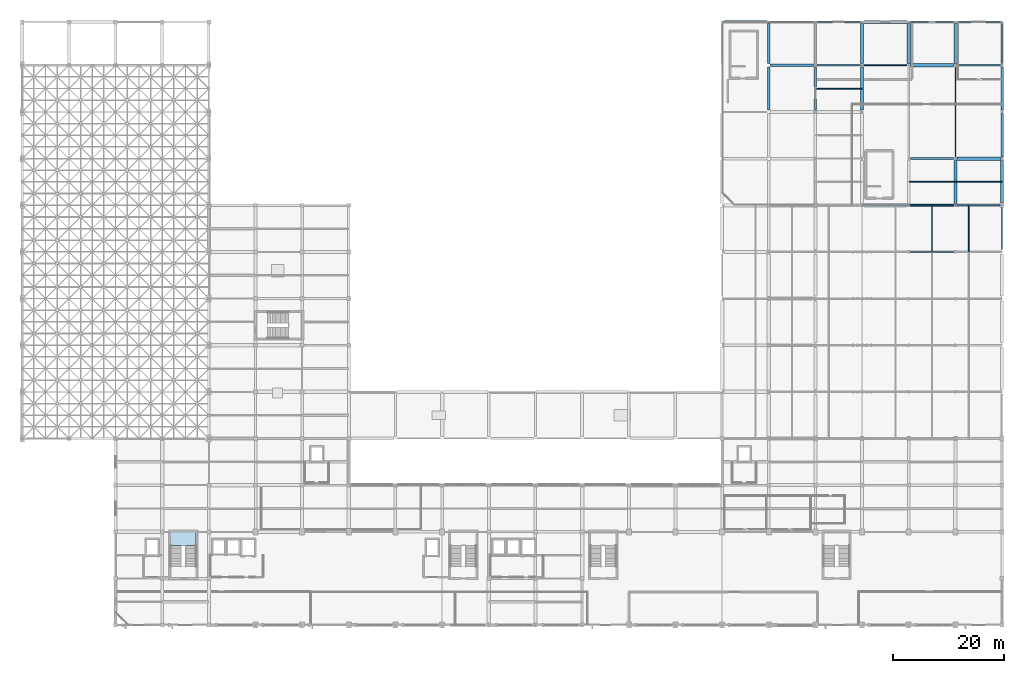
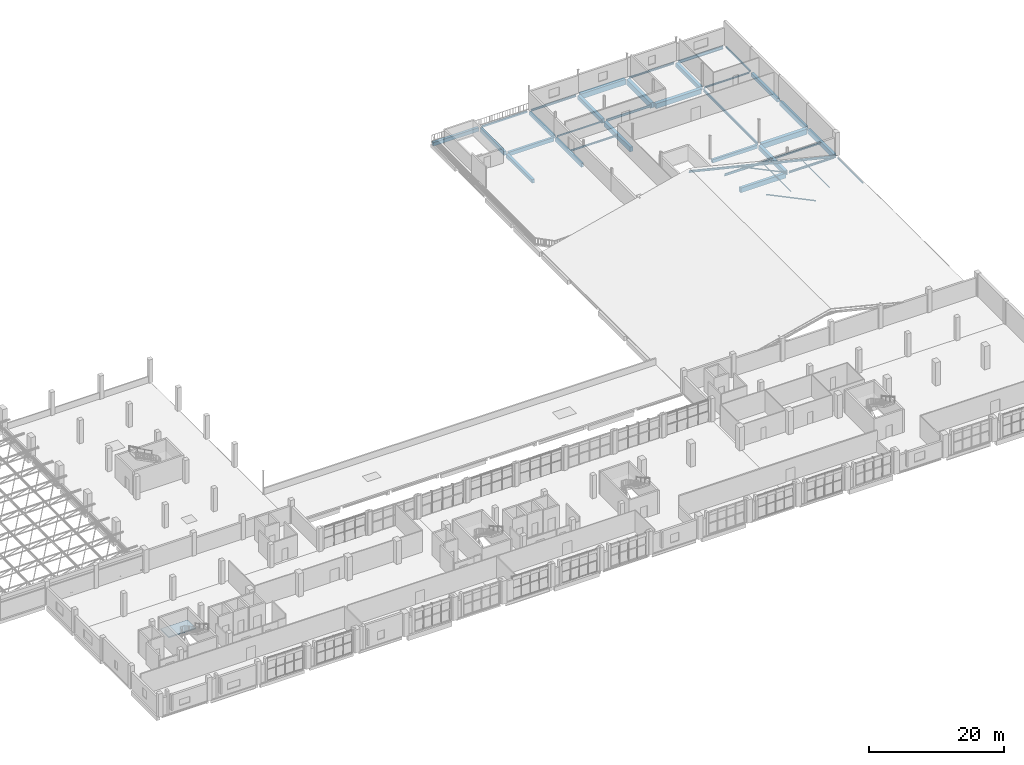
# One storey, part 38 of 64: 33 beams, 5 members, 1 slab, 1 element without a shape of its own.
"""IFC4 building model written with IfcOpenShell, lengths in metres."""

import ifcopenshell
import ifcopenshell.guid

model = None  # the IFC model being written
_history = None  # IfcOwnerHistory: only IFC2X3 demands one
_inside = {}  # id of a spatial element -> (the spatial element, [elements in it])
_under = {}  # id of a project, library or spatial element -> (it, [spatial elements below it])
_declared = {}  # id of a project -> (the project, [libraries it declares])
_typed = {}  # id of a type object -> (the type object, [elements of that type])
_made_of = {}  # id of a material, layer set ... -> (it, [elements and type objects made of it])


def new_model(schema):
    """Start an empty IFC model of exactly this schema.

    Asked for "IFC4X3", IfcOpenShell would pick the latest addendum, in which some entities
    have other attributes; the version numbers below select the first issue.
    IFC2X3 requires an IfcOwnerHistory on every rooted entity: one is made here for all.
    """
    global model, _history
    if schema == "IFC4X3":
        model = ifcopenshell.file(schema_version=(4, 3, 0, 0))
    else:
        model = ifcopenshell.file(schema=schema)
    _inside.clear()
    _under.clear()
    _declared.clear()
    _typed.clear()
    _made_of.clear()
    _history = None
    if model.schema == "IFC2X3":
        org = make("IfcOrganization", Name="unknown")
        user = make(
            "IfcPersonAndOrganization",
            ThePerson=make("IfcPerson", FamilyName="unknown"),
            TheOrganization=org,
        )
        app = make(
            "IfcApplication",
            ApplicationDeveloper=org,
            Version="unknown",
            ApplicationFullName="unknown",
            ApplicationIdentifier="unknown",
        )
        _history = make(
            "IfcOwnerHistory",
            OwningUser=user,
            OwningApplication=app,
            ChangeAction="ADDED",
            CreationDate=0,
        )
    return model


def make(cls, **values):
    """One entity of the class cls with the attributes given. An attribute that is None is left unset."""
    return model.create_entity(
        cls, **{name: value for name, value in values.items() if value is not None}
    )


def rooted(cls, **values):
    """An entity with a GlobalId (a new one), such as an element, a storey or a relation."""
    return make(cls, GlobalId=ifcopenshell.guid.new(), OwnerHistory=_history, **values)


def si_unit(unit_type, name, prefix=None):
    """IfcSIUnit, for example si_unit("LENGTHUNIT", "METRE", prefix="MILLI")."""
    return make("IfcSIUnit", UnitType=unit_type, Prefix=prefix, Name=name)


def derived_unit(unit_type, elements):
    """IfcDerivedUnit: a product of units, each with its exponent."""
    return make(
        "IfcDerivedUnit",
        Elements=[
            make("IfcDerivedUnitElement", Unit=unit, Exponent=power)
            for unit, power in elements
        ],
        UnitType=unit_type,
    )


def assignment(units):
    """IfcUnitAssignment: the units of a project."""
    return None if units is None else make("IfcUnitAssignment", Units=units)


def point(xyz):
    """IfcCartesianPoint."""
    return None if xyz is None else make("IfcCartesianPoint", Coordinates=xyz)


def direction(xyz):
    """IfcDirection."""
    return None if xyz is None else make("IfcDirection", DirectionRatios=xyz)


def frame(location, z_axis=None, x_axis=None):
    """IfcAxis2Placement3D, a coordinate frame: its origin and axes. An axis left out is left unset."""
    return make(
        "IfcAxis2Placement3D",
        Location=point(location),
        Axis=direction(z_axis),
        RefDirection=direction(x_axis),
    )


def frame_2d(location, x_axis=None):
    """IfcAxis2Placement2D, a coordinate frame in the plane: its origin and x axis."""
    return make(
        "IfcAxis2Placement2D", Location=point(location), RefDirection=direction(x_axis)
    )


def origin():
    """The frame at (0, 0, 0) with its axes left unset."""
    return frame((0.0, 0.0, 0.0))


def origin_2d():
    """The frame at (0, 0) in the plane with its x axis left unset."""
    return frame_2d((0.0, 0.0))


def place(relative_to, where):
    """IfcLocalPlacement: puts the frame where relative to a parent placement (None: the world)."""
    return make(
        "IfcLocalPlacement", PlacementRelTo=relative_to, RelativePlacement=where
    )


def context(
    kind, dimensions, precision=None, world=None, true_north=None, identifier=None
):
    """IfcGeometricRepresentationContext, for example the 3D "Model" context."""
    return make(
        "IfcGeometricRepresentationContext",
        ContextIdentifier=identifier,
        ContextType=kind,
        CoordinateSpaceDimension=dimensions,
        Precision=precision,
        WorldCoordinateSystem=world,
        TrueNorth=true_north,
    )


def subcontext(parent, identifier, kind, view, scale=None):
    """IfcGeometricRepresentationSubContext, for example "Body" below "Model"."""
    return make(
        "IfcGeometricRepresentationSubContext",
        ContextIdentifier=identifier,
        ContextType=kind,
        ParentContext=parent,
        TargetScale=scale,
        TargetView=view,
    )


def project(units=None, contexts=None):
    """IfcProject with its units and contexts."""
    return rooted(
        "IfcProject",
        Name="project",
        RepresentationContexts=contexts,
        UnitsInContext=assignment(units),
    )


def spatial(cls, under=None, at=None, **own):
    """A site, building, storey or space (cls), placed at a placement, below another one or the project."""
    s = rooted(cls, ObjectPlacement=at, **own)
    if under is not None:
        _under.setdefault(under.id(), (under, []))[1].append(s)
    return s


def polyline(points):
    """IfcPolyline through the points."""
    return make("IfcPolyline", Points=[point(p) for p in points])


def profile(cls, at=None, kind="AREA", **sizes):
    """A parametric profile (cls). Its sizes go by their IFC names, for example OverallWidth=200.0."""
    return make(cls, ProfileType=kind, Position=at, **sizes)


def rectangle(**sizes):
    """IfcRectangleProfileDef."""
    return profile("IfcRectangleProfileDef", **sizes)


def hollow_rectangle(**sizes):
    """IfcRectangleHollowProfileDef."""
    return profile("IfcRectangleHollowProfileDef", **sizes)


def hollow_circle(**sizes):
    """IfcCircleHollowProfileDef."""
    return profile("IfcCircleHollowProfileDef", **sizes)


def i_section(**sizes):
    """IfcIShapeProfileDef."""
    return profile("IfcIShapeProfileDef", **sizes)


def outline(outer, holes=None, kind="AREA"):
    """IfcArbitraryClosedProfileDef: a profile drawn as a closed curve; with holes, ...WithVoids."""
    if holes is None:
        return make("IfcArbitraryClosedProfileDef", ProfileType=kind, OuterCurve=outer)
    return make(
        "IfcArbitraryProfileDefWithVoids",
        ProfileType=kind,
        OuterCurve=outer,
        InnerCurves=holes,
    )


def extrude(swept, where, along, depth):
    """IfcExtrudedAreaSolid: the profile swept, set in the frame where, extruded along a direction by depth."""
    return make(
        "IfcExtrudedAreaSolid",
        SweptArea=swept,
        Position=where,
        ExtrudedDirection=direction(along),
        Depth=depth,
    )


def shape(context_of_items, identifier, shape_type, items):
    """IfcShapeRepresentation: the items that make up one representation, for example the "Body"."""
    return make(
        "IfcShapeRepresentation",
        ContextOfItems=context_of_items,
        RepresentationIdentifier=identifier,
        RepresentationType=shape_type,
        Items=items,
    )


def material(Name=None, Category=None):
    """IfcMaterial."""
    return make("IfcMaterial", Name=Name, Category=Category)


def layer(
    of_material, thickness, ventilated=None, Name=None, Category=None, Priority=None
):
    """IfcMaterialLayer: one layer of a wall or slab, of a material (None: an air gap)."""
    return make(
        "IfcMaterialLayer",
        Material=of_material,
        LayerThickness=thickness,
        IsVentilated=ventilated,
        Name=Name,
        Category=Category,
        Priority=Priority,
    )


def layer_set(layers, Name=None):
    """IfcMaterialLayerSet."""
    return make("IfcMaterialLayerSet", MaterialLayers=layers, LayerSetName=Name)


def material_profile(
    of_material, cross_section, Name=None, Category=None, Priority=None
):
    """IfcMaterialProfile: a cross section and its material."""
    return make(
        "IfcMaterialProfile",
        Name=Name,
        Material=of_material,
        Profile=cross_section,
        Priority=Priority,
        Category=Category,
    )


def profile_set(profiles, Name=None, composite=None):
    """IfcMaterialProfileSet."""
    return make(
        "IfcMaterialProfileSet",
        Name=Name,
        MaterialProfiles=profiles,
        CompositeProfile=composite,
    )


def made_of(thing, what):
    """Note that an element or type object is made of a material, layer set ...; save() writes the relation."""
    if what is not None:
        _made_of.setdefault(what.id(), (what, []))[1].append(thing)
    return thing


def type_object(cls, material=None, **own):
    """A type object (cls), such as IfcWallType, which elements share."""
    return made_of(rooted(cls, **own), material)


def element(
    cls,
    number,
    at=None,
    inside=None,
    cuts=None,
    type_object=None,
    material=None,
    context=None,
    identifier="Body",
    shape_type=None,
    held_by="IfcProductDefinitionShape",
    body=None,
    shapes=None,
    **own,
):
    """One element of the class cls, such as IfcWall. Its Tag is "e" and its number.

    at: its placement. inside: the storey or other place that contains it. cuts: it is an
    opening in that element (IfcRelVoidsElement). A single representation is given by context,
    identifier, shape_type and body (its items); several are given by shapes. held_by: the class
    of the entity that holds the representations. save() writes the other relations.
    """
    e = rooted(cls, Tag="e%d" % number, ObjectPlacement=at, **own)
    if body is not None:
        shapes = [shape(context, identifier, shape_type, body)]
    if shapes is not None:
        e.Representation = make(held_by, Representations=shapes)
    if inside is not None:
        _inside.setdefault(inside.id(), (inside, []))[1].append(e)
    if cuts is not None:
        rooted(
            "IfcRelVoidsElement", RelatingBuildingElement=cuts, RelatedOpeningElement=e
        )
    if type_object is not None:
        _typed.setdefault(type_object.id(), (type_object, []))[1].append(e)
    return made_of(e, material)


def aggregate(whole, parts):
    """IfcRelAggregates: a whole, such as a stair, and the parts it consists of."""
    return rooted("IfcRelAggregates", RelatingObject=whole, RelatedObjects=parts)


def save(model, path):
    """Write the relations noted so far, then the file.

    IfcRelAggregates (storeys below a building ...), IfcRelContainedInSpatialStructure (elements
    in a storey), IfcRelDefinesByType, IfcRelAssociatesMaterial and IfcRelDeclares: one each for
    every whole, place, type object, material and project.
    """
    for whole, parts in _under.values():
        aggregate(whole, parts)
    for where, things in _inside.values():
        rooted(
            "IfcRelContainedInSpatialStructure",
            RelatedElements=things,
            RelatingStructure=where,
        )
    for kind, things in _typed.values():
        rooted("IfcRelDefinesByType", RelatedObjects=things, RelatingType=kind)
    for what, things in _made_of.values():
        rooted("IfcRelAssociatesMaterial", RelatedObjects=things, RelatingMaterial=what)
    for by, libraries in _declared.values():
        rooted("IfcRelDeclares", RelatingContext=by, RelatedDefinitions=libraries)
    model.write(path)


model = new_model("IFC4")

# Units and contexts
model_context = context("Model", 3, precision=1e-05, world=origin(), true_north=direction((0.0, 1.0)))
body_context = subcontext(model_context, "Body", "Model", "MODEL_VIEW")
ifc_project = project(units=[si_unit("LENGTHUNIT", "METRE"), si_unit("AREAUNIT", "SQUARE_METRE"), si_unit("VOLUMEUNIT", "CUBIC_METRE"), si_unit("PLANEANGLEUNIT", "RADIAN"), si_unit("MASSUNIT", "GRAM", prefix="KILO"), derived_unit("THERMALTRANSMITTANCEUNIT", [(si_unit("POWERUNIT", "WATT"), 1), (si_unit("LENGTHUNIT", "METRE"), -2), (si_unit("THERMODYNAMICTEMPERATUREUNIT", "KELVIN"), -1)])], contexts=[model_context])

# Site, building, storey
site_placement = place(None, origin())
site = spatial("IfcSite", under=ifc_project, at=site_placement, CompositionType="ELEMENT")
building_placement = place(site_placement, origin())
building = spatial("IfcBuilding", under=site, at=building_placement, Name="Barrovel Congress Hotel", CompositionType="ELEMENT")
storey_placement = place(building_placement, frame((0.0, 0.0, 14.10009765625)))
storey = spatial("IfcBuildingStorey", under=building, at=storey_placement, Name="L03", CompositionType="ELEMENT", Elevation=14.10009765625)

# Beams
ifc_material_1 = material(Name="Concrete C40", Category="concrete")
ifc_material_profile_1 = material_profile(ifc_material_1, rectangle(XDim=0.39990234375, YDim=0.60009765625, at=origin_2d()), Name="RC400x600")
ifc_profile_set_1 = profile_set([ifc_material_profile_1], Name="Concrete C40")
beam_type_1 = type_object("IfcBeamType", Name="BM-RC400x600", PredefinedType="BEAM", material=ifc_profile_set_1)
beam_1_placement = place(storey_placement, frame((159.925048828125, 88.199951171875, -0.5400390625), z_axis=(1.0, 0.0, 0.0), x_axis=(0.0, 1.0, 0.0)))
element("IfcBeam", 1, at=beam_1_placement, inside=storey, type_object=beam_type_1, Name="BMX:L03:88.2:159.6-168.0", PredefinedType="BEAM", context=body_context, shape_type="SweptSolid", body=[
    extrude(rectangle(XDim=0.39990234375, YDim=0.60009765625, at=origin_2d()), origin(), (0.0, 0.0, 1.0), 7.75),
])
beam_2_placement = place(storey_placement, frame((142.800048828125, 105.324951171875, -0.5400390625), z_axis=(0.0, 1.0, 0.0), x_axis=(-1.0, 0.0, 0.0)))
element("IfcBeam", 2, at=beam_2_placement, inside=storey, type_object=beam_type_1, Name="BMY:L03:142.8:105.0-112.8", PredefinedType="BEAM", context=body_context, shape_type="SweptSolid", body=[
    extrude(rectangle(XDim=0.39990234375, YDim=0.60009765625, at=origin_2d()), origin(), (0.0, 0.0, 1.0), 7.150146484375),
])
ifc_material_profile_2 = material_profile(ifc_material_1, rectangle(XDim=0.39990234375, YDim=0.699951171875, at=origin_2d()), Name="RC400x700")
ifc_profile_set_2 = profile_set([ifc_material_profile_2], Name="Concrete C40")
beam_type_2 = type_object("IfcBeamType", Name="BM-RC400x700", PredefinedType="BEAM", material=ifc_profile_set_2)
beam_3_placement = place(storey_placement, frame((134.72509765625, 105.0, -0.590087890625), z_axis=(1.0, 0.0, 0.0), x_axis=(0.0, 1.0, 0.0)))
element("IfcBeam", 3, at=beam_3_placement, inside=storey, type_object=beam_type_2, Name="BMX:L03:105.0:134.4-142.8", PredefinedType="BEAM", context=body_context, shape_type="SweptSolid", body=[
    extrude(rectangle(XDim=0.39990234375, YDim=0.699951171875, at=origin_2d()), origin(), (0.0, 0.0, 1.0), 7.75),
])
beam_4_placement = place(storey_placement, frame((134.39990234375, 105.324951171875, -0.590087890625), z_axis=(0.0, 1.0, 0.0), x_axis=(-1.0, 0.0, 0.0)))
element("IfcBeam", 4, at=beam_4_placement, inside=storey, type_object=beam_type_2, Name="BMY:L03:134.4:105.0-112.8", PredefinedType="BEAM", context=body_context, shape_type="SweptSolid", body=[
    extrude(rectangle(XDim=0.39990234375, YDim=0.699951171875, at=origin_2d()), origin(), (0.0, 0.0, 1.0), 7.150146484375),
])
beam_5_placement = place(storey_placement, frame((142.800048828125, 96.925048828125, -0.590087890625), z_axis=(0.0, 1.0, 0.0), x_axis=(-1.0, 0.0, 0.0)))
element("IfcBeam", 5, at=beam_5_placement, inside=storey, type_object=beam_type_2, Name="BMY:L03:142.8:96.6-105.0", PredefinedType="BEAM", context=body_context, shape_type="SweptSolid", body=[
    extrude(rectangle(XDim=0.39990234375, YDim=0.699951171875, at=origin_2d()), origin(), (0.0, 0.0, 1.0), 7.75),
])
ifc_material_profile_3 = material_profile(ifc_material_1, rectangle(XDim=0.449951171875, YDim=0.64990234375, at=origin_2d()), Name="RC450x650")
ifc_profile_set_3 = profile_set([ifc_material_profile_3], Name="Concrete C40")
beam_type_3 = type_object("IfcBeamType", Name="BM-RC450x650", PredefinedType="BEAM", material=ifc_profile_set_3)
for number, where, z_axis, x_axis, name in (
    (6, (126.324951171875, 112.800048828125, -0.565185546875), (1.0, 0.0, 0.0), (0.0, 1.0, 0.0), "BMX:L03:112.8:126.0-134.4"),
    (7, (134.39990234375, 96.925048828125, -0.565185546875), (0.0, 1.0, 0.0), (-1.0, 0.0, 0.0), "BMY:L03:134.4:96.6-105.0"),
    (8, (176.39990234375, 96.925048828125, -0.565185546875), (0.0, 1.0, 0.0), (-1.0, 0.0, 0.0), "BMY:L03:176.4:96.6-105.0"),
):
    element("IfcBeam", number, at=place(storey_placement, frame(where, z_axis=z_axis, x_axis=x_axis)), inside=storey, type_object=beam_type_3, Name=name, PredefinedType="BEAM", context=body_context, shape_type="SweptSolid", body=[
        extrude(rectangle(XDim=0.449951171875, YDim=0.64990234375, at=origin_2d()), origin(), (0.0, 0.0, 1.0), 7.75),
    ])
ifc_material_profile_4 = material_profile(ifc_material_1, rectangle(XDim=0.449951171875, YDim=0.75, at=origin_2d()), Name="RC450x750")
ifc_profile_set_4 = profile_set([ifc_material_profile_4], Name="Concrete C40")
beam_type_4 = type_object("IfcBeamType", Name="BM-RC450x750", PredefinedType="BEAM", material=ifc_profile_set_4)
beam_6_placement = place(storey_placement, frame((176.39990234375, 88.52490234375, -0.614990234375), z_axis=(0.0, 1.0, 0.0), x_axis=(-1.0, 0.0, 0.0)))
element("IfcBeam", 9, at=beam_6_placement, inside=storey, type_object=beam_type_4, Name="BMY:L03:176.4:88.2-96.6", PredefinedType="BEAM", context=body_context, shape_type="SweptSolid", body=[
    extrude(rectangle(XDim=0.449951171875, YDim=0.75, at=origin_2d()), origin(), (0.0, 0.0, 1.0), 7.75),
])
ifc_material_profile_5 = material_profile(ifc_material_1, rectangle(XDim=0.5, YDim=0.75, at=origin_2d()), Name="RC500x750")
ifc_profile_set_5 = profile_set([ifc_material_profile_5], Name="Concrete C40")
beam_type_5 = type_object("IfcBeamType", Name="BM-RC500x750", PredefinedType="BEAM", material=ifc_profile_set_5)
for number, where, z_axis, x_axis, name in (
    (10, (151.199951171875, 105.324951171875, -0.614990234375), (0.0, 1.0, 0.0), (-1.0, 0.0, 0.0), "BMY:L03:151.2:105.0-112.8"),
    (11, (168.0, 105.324951171875, -0.614990234375), (0.0, 1.0, 0.0), (-1.0, 0.0, 0.0), "BMY:L03:168.0:105.0-112.8"),
):
    element("IfcBeam", number, at=place(storey_placement, frame(where, z_axis=z_axis, x_axis=x_axis)), inside=storey, type_object=beam_type_5, Name=name, PredefinedType="BEAM", context=body_context, shape_type="SweptSolid", body=[
        extrude(rectangle(XDim=0.5, YDim=0.75, at=origin_2d()), origin(), (0.0, 0.0, 1.0), 7.150146484375),
    ])
beam_7_placement = place(storey_placement, frame((176.39990234375, 80.25, -0.614990234375), z_axis=(0.0, 1.0, 0.0), x_axis=(-1.0, 0.0, 0.0)))
element("IfcBeam", 12, at=beam_7_placement, inside=storey, type_object=beam_type_5, Name="BMY:L03:176.4:79.8-88.2", PredefinedType="BEAM", context=body_context, shape_type="SweptSolid", body=[
    extrude(rectangle(XDim=0.5, YDim=0.75, at=origin_2d()), origin(), (0.0, 0.0, 1.0), 7.625),
])
ifc_material_profile_6 = material_profile(ifc_material_1, rectangle(XDim=0.5, YDim=0.85009765625, at=origin_2d()), Name="RC500x850")
ifc_profile_set_6 = profile_set([ifc_material_profile_6], Name="Concrete C40")
beam_type_6 = type_object("IfcBeamType", Name="BM-RC500x850", PredefinedType="BEAM", material=ifc_profile_set_6)
for number, where, z_axis, x_axis, name in (
    (13, (159.925048828125, 79.800048828125, -0.6650390625), (1.0, 0.0, 0.0), (0.0, 1.0, 0.0), "BMX:L03:79.8:159.6-168.0"),
    (14, (151.199951171875, 96.925048828125, -0.6650390625), (0.0, 1.0, 0.0), (-1.0, 0.0, 0.0), "BMY:L03:151.2:96.6-105.0"),
):
    element("IfcBeam", number, at=place(storey_placement, frame(where, z_axis=z_axis, x_axis=x_axis)), inside=storey, type_object=beam_type_6, Name=name, PredefinedType="BEAM", context=body_context, shape_type="SweptSolid", body=[
        extrude(rectangle(XDim=0.5, YDim=0.85009765625, at=origin_2d()), origin(), (0.0, 0.0, 1.0), 7.75),
    ])
ifc_material_profile_7 = material_profile(ifc_material_1, rectangle(XDim=0.550048828125, YDim=0.800048828125, at=origin_2d()), Name="RC550x800")
ifc_profile_set_7 = profile_set([ifc_material_profile_7], Name="Concrete C40")
beam_type_7 = type_object("IfcBeamType", Name="BM-RC550x800", PredefinedType="BEAM", material=ifc_profile_set_7)
beam_8_placement = place(storey_placement, frame((168.0, 80.125, -0.64013671875), z_axis=(0.0, 1.0, 0.0), x_axis=(-1.0, 0.0, 0.0)))
element("IfcBeam", 15, at=beam_8_placement, inside=storey, type_object=beam_type_7, Name="BMY:L03:168.0:79.8-88.2", PredefinedType="BEAM", context=body_context, shape_type="SweptSolid", body=[
    extrude(rectangle(XDim=0.550048828125, YDim=0.800048828125, at=origin_2d()), origin(), (0.0, 0.0, 1.0), 7.75),
])
ifc_material_profile_8 = material_profile(ifc_material_1, rectangle(XDim=0.60009765625, YDim=0.85009765625, at=origin_2d()), Name="RC600x850")
ifc_profile_set_8 = profile_set([ifc_material_profile_8], Name="Concrete C40")
beam_type_8 = type_object("IfcBeamType", Name="BM-RC600x850", PredefinedType="BEAM", material=ifc_profile_set_8)
beam_9_placement = place(storey_placement, frame((159.925048828125, 105.0, -0.6650390625), z_axis=(1.0, 0.0, 0.0), x_axis=(0.0, 1.0, 0.0)))
element("IfcBeam", 16, at=beam_9_placement, inside=storey, type_object=beam_type_8, Name="BMX:L03:105.0:159.6-168.0", PredefinedType="BEAM", context=body_context, shape_type="SweptSolid", body=[
    extrude(rectangle(XDim=0.60009765625, YDim=0.85009765625, at=origin_2d()), origin(), (0.0, 0.0, 1.0), 7.75),
])
ifc_material_profile_9 = material_profile(ifc_material_1, rectangle(XDim=0.60009765625, YDim=0.949951171875, at=origin_2d()), Name="RC600x950")
ifc_profile_set_9 = profile_set([ifc_material_profile_9], Name="Concrete C40")
beam_type_9 = type_object("IfcBeamType", Name="BM-RC600x950", PredefinedType="BEAM", material=ifc_profile_set_9)
for number, where, z_axis, x_axis, name in (
    (17, (168.324951171875, 88.199951171875, -0.715087890625), (1.0, 0.0, 0.0), (0.0, 1.0, 0.0), "BMX:L03:88.2:168.0-176.4"),
    (18, (151.52490234375, 112.800048828125, -0.715087890625), (1.0, 0.0, 0.0), (0.0, 1.0, 0.0), "BMX:L03:112.8:151.2-159.6"),
):
    element("IfcBeam", number, at=place(storey_placement, frame(where, z_axis=z_axis, x_axis=x_axis)), inside=storey, type_object=beam_type_9, Name=name, PredefinedType="BEAM", context=body_context, shape_type="SweptSolid", body=[
        extrude(rectangle(XDim=0.60009765625, YDim=0.949951171875, at=origin_2d()), origin(), (0.0, 0.0, 1.0), 7.75),
    ])
beam_10_placement = place(storey_placement, frame((159.60009765625, 105.324951171875, -0.715087890625), z_axis=(0.0, 1.0, 0.0), x_axis=(-1.0, 0.0, 0.0)))
element("IfcBeam", 19, at=beam_10_placement, inside=storey, type_object=beam_type_9, Name="BMY:L03:159.6:105.0-112.8", PredefinedType="BEAM", context=body_context, shape_type="SweptSolid", body=[
    extrude(rectangle(XDim=0.60009765625, YDim=0.949951171875, at=origin_2d()), origin(), (0.0, 0.0, 1.0), 7.150146484375),
])

# Members
ifc_material_2 = material(Name="Steel ASTM A500 Grade C", Category="steel")
ifc_material_profile_10 = material_profile(ifc_material_2, hollow_circle(Radius=0.070556640625, WallThickness=0.006591796875, at=origin_2d()), Name="CHS141.3x7.1")
ifc_profile_set_10 = profile_set([ifc_material_profile_10], Name="Steel ASTM A500 Grade C")
member_type_1 = type_object("IfcMemberType", Name="MEM-CHS141.3x7.1", PredefinedType="BRACE", material=ifc_profile_set_10)
for number, where, z_axis, x_axis, name in (
    (20, (168.0, 71.39990234375, -0.380126953125), (-0.90053926839, 0.0, 0.434774684277), (0.0, -1.0, 0.0), "V2-TR-DG:5:168.0-159.6"),
    (21, (168.0, 79.800048828125, -0.380126953125), (-0.90053926839, 0.0, 0.434774684277), (0.0, -1.0, 0.0), "V2-TR-DG:6:168.0-159.6"),
):
    element("IfcMember", number, at=place(storey_placement, frame(where, z_axis=z_axis, x_axis=x_axis)), inside=storey, type_object=member_type_1, Name=name, PredefinedType="BRACE", context=body_context, shape_type="SweptSolid", body=[
        extrude(hollow_circle(Radius=0.070556640625, WallThickness=0.006591796875, at=origin_2d()), origin(), (0.0, 0.0, 1.0), 9.32763671875),
    ])
ifc_material_profile_11 = material_profile(ifc_material_2, hollow_rectangle(XDim=0.1015625, YDim=0.15234375, WallThickness=0.005859375, InnerFilletRadius=0.005859375, OuterFilletRadius=0.01171875, at=origin_2d()), Name="HSS152x102x6.4")
ifc_profile_set_11 = profile_set([ifc_material_profile_11], Name="Steel ASTM A500 Grade C")
member_type_2 = type_object("IfcMemberType", Name="MEM-HSS152x102x6.4", PredefinedType="PURLIN", material=ifc_profile_set_11)
for number, where, z_axis, x_axis, name in (
    (22, (163.800048828125, 71.39990234375, 2.801513671875), (0.0, 1.0, 0.0), (-1.0, 0.0, 0.0), "V2-PUR:163.8:71.4"),
    (23, (170.39990234375, 71.39990234375, 1.208251953125), (0.0, 1.0, 0.0), (-1.0, 0.0, 0.0), "V2-PUR:170.4:71.4"),
):
    element("IfcMember", number, at=place(storey_placement, frame(where, z_axis=z_axis, x_axis=x_axis)), inside=storey, type_object=member_type_2, Name=name, PredefinedType="PURLIN", context=body_context, shape_type="SweptSolid", body=[
        extrude(hollow_rectangle(XDim=0.1015625, YDim=0.15234375, WallThickness=0.005859375, InnerFilletRadius=0.005859375, OuterFilletRadius=0.01171875, at=origin_2d()), origin(), (0.0, 0.0, 1.0), 8.400146484375),
    ])
ifc_material_3 = material(Name="Steel ASTM A992 Grade 50", Category="steel")
ifc_material_profile_12 = material_profile(ifc_material_3, i_section(OverallWidth=0.205078125, OverallDepth=0.35400390625, WebThickness=0.009521484375, FlangeThickness=0.016845703125, FilletRadius=0.012939453125, at=origin_2d()), Name="W360x79")
ifc_profile_set_12 = profile_set([ifc_material_profile_12], Name="Steel ASTM A992 Grade 50")
member_type_3 = type_object("IfcMemberType", Name="MEM-W360x79", PredefinedType="RAFTER", material=ifc_profile_set_12)
member_placement = place(storey_placement, frame((151.199951171875, 79.800048828125, 5.702880859375), z_axis=(0.972079912314, 0.0, -0.234650045972), x_axis=(0.0, 1.0, 0.0)))
element("IfcMember", 24, at=member_placement, inside=storey, type_object=member_type_3, Name="Ballroom Roof Truss Rafter E 6", PredefinedType="RAFTER", context=body_context, shape_type="SweptSolid", body=[
    extrude(i_section(OverallWidth=0.205078125, OverallDepth=0.35400390625, WebThickness=0.009521484375, FlangeThickness=0.016845703125, FilletRadius=0.012939453125, at=origin_2d()), origin(), (0.0, 0.0, 1.0), 25.923828125),
])

# Beams
ifc_material_profile_13 = material_profile(ifc_material_2, hollow_rectangle(XDim=0.15234375, YDim=0.25390625, WallThickness=0.0087890625, InnerFilletRadius=0.0087890625, OuterFilletRadius=0.017578125, at=origin_2d()), Name="HSS254x152x9.5")
ifc_profile_set_13 = profile_set([ifc_material_profile_13], Name="Steel ASTM A500 Grade C")
beam_type_10 = type_object("IfcBeamType", Name="SBM-HSS254x152x9.5", PredefinedType="SPANDREL", material=ifc_profile_set_13)
beam_11_placement = place(storey_placement, frame((143.125, 105.0, -0.3671875), z_axis=(1.0, 0.0, 0.0), x_axis=(0.0, 1.0, 0.0)))
element("IfcBeam", 25, at=beam_11_placement, inside=storey, type_object=beam_type_10, Name="BMX:L03:105.0:142.8-151.2", PredefinedType="SPANDREL", context=body_context, shape_type="SweptSolid", body=[
    extrude(hollow_rectangle(XDim=0.15234375, YDim=0.25390625, WallThickness=0.0087890625, InnerFilletRadius=0.0087890625, OuterFilletRadius=0.017578125, at=origin_2d()), origin(), (0.0, 0.0, 1.0), 7.75),
])
beam_12_placement = place(storey_placement, frame((176.39990234375, 71.85009765625, -0.3671875), z_axis=(0.0, 1.0, 0.0), x_axis=(-1.0, 0.0, 0.0)))
element("IfcBeam", 26, at=beam_12_placement, inside=storey, type_object=beam_type_10, Name="BMY:L03:176.4:71.4-79.8", PredefinedType="SPANDREL", context=body_context, shape_type="SweptSolid", body=[
    extrude(hollow_rectangle(XDim=0.15234375, YDim=0.25390625, WallThickness=0.0087890625, InnerFilletRadius=0.0087890625, OuterFilletRadius=0.017578125, at=origin_2d()), origin(), (0.0, 0.0, 1.0), 7.5),
])
ifc_material_profile_14 = material_profile(ifc_material_2, hollow_rectangle(XDim=0.203125, YDim=0.3046875, WallThickness=0.01171875, InnerFilletRadius=0.01171875, OuterFilletRadius=0.023681640625, at=origin_2d()), Name="HSS305x203x12.7")
ifc_profile_set_14 = profile_set([ifc_material_profile_14], Name="Steel ASTM A500 Grade C")
beam_type_11 = type_object("IfcBeamType", Name="SBM-HSS305x203x12.7", PredefinedType="SPANDREL", material=ifc_profile_set_14)
beam_13_placement = place(storey_placement, frame((134.72509765625, 112.800048828125, -0.392578125), z_axis=(1.0, 0.0, 0.0), x_axis=(0.0, 1.0, 0.0)))
element("IfcBeam", 27, at=beam_13_placement, inside=storey, type_object=beam_type_11, Name="BMX:L03:112.8:134.4-142.8", PredefinedType="SPANDREL", context=body_context, shape_type="SweptSolid", body=[
    extrude(hollow_rectangle(XDim=0.203125, YDim=0.3046875, WallThickness=0.01171875, InnerFilletRadius=0.01171875, OuterFilletRadius=0.023681640625, at=origin_2d()), origin(), (0.0, 0.0, 1.0), 7.75),
])
beam_14_placement = place(storey_placement, frame((176.39990234375, 105.324951171875, -0.392578125), z_axis=(0.0, 1.0, 0.0), x_axis=(-1.0, 0.0, 0.0)))
element("IfcBeam", 28, at=beam_14_placement, inside=storey, type_object=beam_type_11, Name="BMY:L03:176.4:105.0-112.8", PredefinedType="SPANDREL", context=body_context, shape_type="SweptSolid", body=[
    extrude(hollow_rectangle(XDim=0.203125, YDim=0.3046875, WallThickness=0.01171875, InnerFilletRadius=0.01171875, OuterFilletRadius=0.023681640625, at=origin_2d()), origin(), (0.0, 0.0, 1.0), 7.150146484375),
])
ifc_material_profile_15 = material_profile(ifc_material_3, i_section(OverallWidth=0.201904296875, OverallDepth=0.2470703125, WebThickness=0.00732421875, FlangeThickness=0.010986328125, FilletRadius=0.011962890625, at=origin_2d()), Name="W250x49")
ifc_profile_set_15 = profile_set([ifc_material_profile_15], Name="Steel ASTM A992 Grade 50")
beam_type_12 = type_object("IfcBeamType", Name="SBM-W250x49", PredefinedType="SPANDREL", material=ifc_profile_set_15)
beam_15_placement = place(storey_placement, frame((168.324951171875, 105.0, -0.363525390625), z_axis=(1.0, 0.0, 0.0), x_axis=(0.0, 1.0, 0.0)))
element("IfcBeam", 29, at=beam_15_placement, inside=storey, type_object=beam_type_12, Name="BMX:L03:105.0:168.0-176.4", PredefinedType="SPANDREL", context=body_context, shape_type="SweptSolid", body=[
    extrude(i_section(OverallWidth=0.201904296875, OverallDepth=0.2470703125, WebThickness=0.00732421875, FlangeThickness=0.010986328125, FilletRadius=0.011962890625, at=origin_2d()), origin(), (0.0, 0.0, 1.0), 7.75),
])
ifc_material_profile_16 = material_profile(ifc_material_3, i_section(OverallWidth=0.1650390625, OverallDepth=0.31005859375, WebThickness=0.005859375, FlangeThickness=0.009765625, FilletRadius=0.010986328125, at=origin_2d()), Name="W310x39")
ifc_profile_set_16 = profile_set([ifc_material_profile_16], Name="Steel ASTM A992 Grade 50")
beam_type_13 = type_object("IfcBeamType", Name="SBM-W310x39", PredefinedType="JOIST", material=ifc_profile_set_16)
beam_16_placement = place(storey_placement, frame((142.8798828125, 100.800048828125, -0.39501953125), z_axis=(1.0, 0.0, 0.0), x_axis=(0.0, 1.0, 0.0)))
element("IfcBeam", 30, at=beam_16_placement, inside=storey, type_object=beam_type_13, Name="JST:L03:142.8:100.8", PredefinedType="JOIST", context=body_context, shape_type="SweptSolid", body=[
    extrude(i_section(OverallWidth=0.1650390625, OverallDepth=0.31005859375, WebThickness=0.005859375, FlangeThickness=0.009765625, FilletRadius=0.010986328125, at=origin_2d()), origin(), (0.0, 0.0, 1.0), 8.240234375),
])
ifc_material_profile_17 = material_profile(ifc_material_3, i_section(OverallWidth=0.1669921875, OverallDepth=0.31689453125, WebThickness=0.007568359375, FlangeThickness=0.01318359375, FilletRadius=0.010986328125, at=origin_2d()), Name="W310x52")
ifc_profile_set_17 = profile_set([ifc_material_profile_17], Name="Steel ASTM A992 Grade 50")
beam_type_14 = type_object("IfcBeamType", Name="SBM-W310x52", PredefinedType="JOIST", material=ifc_profile_set_17)
beam_17_placement = place(storey_placement, frame((168.080078125, 84.0, -0.398681640625), z_axis=(1.0, 0.0, 0.0), x_axis=(0.0, 1.0, 0.0)))
element("IfcBeam", 31, at=beam_17_placement, inside=storey, type_object=beam_type_14, Name="JST:L03:168.0:84.0", PredefinedType="JOIST", context=body_context, shape_type="SweptSolid", body=[
    extrude(i_section(OverallWidth=0.1669921875, OverallDepth=0.31689453125, WebThickness=0.007568359375, FlangeThickness=0.01318359375, FilletRadius=0.010986328125, at=origin_2d()), origin(), (0.0, 0.0, 1.0), 8.239990234375),
])
ifc_material_profile_18 = material_profile(ifc_material_3, i_section(OverallWidth=0.205078125, OverallDepth=0.31005859375, WebThickness=0.009521484375, FlangeThickness=0.016357421875, FilletRadius=0.012939453125, at=origin_2d()), Name="W310x74")
ifc_profile_set_18 = profile_set([ifc_material_profile_18], Name="Steel ASTM A992 Grade 50")
beam_type_15 = type_object("IfcBeamType", Name="SBM-W310x74", PredefinedType="SPANDREL", material=ifc_profile_set_18)
beam_18_placement = place(storey_placement, frame((159.925048828125, 112.800048828125, -0.39501953125), z_axis=(1.0, 0.0, 0.0), x_axis=(0.0, 1.0, 0.0)))
element("IfcBeam", 32, at=beam_18_placement, inside=storey, type_object=beam_type_15, Name="BMX:L03:112.8:159.6-168.0", PredefinedType="SPANDREL", context=body_context, shape_type="SweptSolid", body=[
    extrude(i_section(OverallWidth=0.205078125, OverallDepth=0.31005859375, WebThickness=0.009521484375, FlangeThickness=0.016357421875, FilletRadius=0.012939453125, at=origin_2d()), origin(), (0.0, 0.0, 1.0), 7.75),
])
ifc_material_profile_19 = material_profile(ifc_material_3, i_section(OverallWidth=0.205078125, OverallDepth=0.35400390625, WebThickness=0.009521484375, FlangeThickness=0.016845703125, FilletRadius=0.012939453125, at=origin_2d()), Name="W360x79")
ifc_profile_set_19 = profile_set([ifc_material_profile_19], Name="Steel ASTM A992 Grade 50")
beam_type_16 = type_object("IfcBeamType", Name="SBM-W360x79", PredefinedType="BEAM", material=ifc_profile_set_19)
beam_19_placement = place(storey_placement, frame((168.324951171875, 79.800048828125, -0.4169921875), z_axis=(1.0, 0.0, 0.0), x_axis=(0.0, 1.0, 0.0)))
element("IfcBeam", 33, at=beam_19_placement, inside=storey, type_object=beam_type_16, Name="BMX:L03:79.8:168.0-176.4", PredefinedType="BEAM", context=body_context, shape_type="SweptSolid", body=[
    extrude(i_section(OverallWidth=0.205078125, OverallDepth=0.35400390625, WebThickness=0.009521484375, FlangeThickness=0.016845703125, FilletRadius=0.012939453125, at=origin_2d()), origin(), (0.0, 0.0, 1.0), 7.72509765625),
])
beam_20_placement = place(storey_placement, frame((143.125, 112.800048828125, -0.4169921875), z_axis=(1.0, 0.0, 0.0), x_axis=(0.0, 1.0, 0.0)))
element("IfcBeam", 34, at=beam_20_placement, inside=storey, type_object=beam_type_16, Name="BMX:L03:112.8:142.8-151.2", PredefinedType="BEAM", context=body_context, shape_type="SweptSolid", body=[
    extrude(i_section(OverallWidth=0.205078125, OverallDepth=0.35400390625, WebThickness=0.009521484375, FlangeThickness=0.016845703125, FilletRadius=0.012939453125, at=origin_2d()), origin(), (0.0, 0.0, 1.0), 7.75),
])
ifc_material_profile_20 = material_profile(ifc_material_3, i_section(OverallWidth=0.177001953125, OverallDepth=0.403076171875, WebThickness=0.007568359375, FlangeThickness=0.010986328125, FilletRadius=0.011962890625, at=origin_2d()), Name="W410x53")
ifc_profile_set_20 = profile_set([ifc_material_profile_20], Name="Steel ASTM A992 Grade 50")
beam_type_17 = type_object("IfcBeamType", Name="SBM-W410x53", PredefinedType="JOIST", material=ifc_profile_set_20)
beam_21_placement = place(storey_placement, frame((159.679931640625, 84.0, -0.441650390625), z_axis=(1.0, 0.0, 0.0), x_axis=(0.0, 1.0, 0.0)))
element("IfcBeam", 35, at=beam_21_placement, inside=storey, type_object=beam_type_17, Name="JST:L03:159.6:84.0", PredefinedType="JOIST", context=body_context, shape_type="SweptSolid", body=[
    extrude(i_section(OverallWidth=0.177001953125, OverallDepth=0.403076171875, WebThickness=0.007568359375, FlangeThickness=0.010986328125, FilletRadius=0.011962890625, at=origin_2d()), origin(), (0.0, 0.0, 1.0), 8.239990234375),
])
ifc_material_profile_21 = material_profile(ifc_material_3, i_section(OverallWidth=0.178955078125, OverallDepth=0.409912109375, WebThickness=0.0087890625, FlangeThickness=0.014404296875, FilletRadius=0.011962890625, at=origin_2d()), Name="W410x67")
ifc_profile_set_21 = profile_set([ifc_material_profile_21], Name="Steel ASTM A992 Grade 50")
beam_type_18 = type_object("IfcBeamType", Name="SBM-W410x67", PredefinedType="BEAM", material=ifc_profile_set_21)
beam_22_placement = place(storey_placement, frame((151.52490234375, 105.0, -0.445068359375), z_axis=(1.0, 0.0, 0.0), x_axis=(0.0, 1.0, 0.0)))
element("IfcBeam", 36, at=beam_22_placement, inside=storey, type_object=beam_type_18, Name="BMX:L03:105.0:151.2-159.6", PredefinedType="BEAM", context=body_context, shape_type="SweptSolid", body=[
    extrude(i_section(OverallWidth=0.178955078125, OverallDepth=0.409912109375, WebThickness=0.0087890625, FlangeThickness=0.014404296875, FilletRadius=0.011962890625, at=origin_2d()), origin(), (0.0, 0.0, 1.0), 7.75),
])
ifc_material_profile_22 = material_profile(ifc_material_3, i_section(OverallWidth=0.19091796875, OverallDepth=0.4599609375, WebThickness=0.010009765625, FlangeThickness=0.01611328125, FilletRadius=0.012939453125, at=origin_2d()), Name="W460x82")
ifc_profile_set_22 = profile_set([ifc_material_profile_22], Name="Steel ASTM A992 Grade 50")
beam_type_19 = type_object("IfcBeamType", Name="SBM-W460x82", PredefinedType="BEAM", material=ifc_profile_set_22)
beam_23_placement = place(storey_placement, frame((168.0, 88.52490234375, -0.47021484375), z_axis=(0.0, 1.0, 0.0), x_axis=(-1.0, 0.0, 0.0)))
element("IfcBeam", 37, at=beam_23_placement, inside=storey, type_object=beam_type_19, Name="BMY:L03:168.0:88.2-105.0", PredefinedType="BEAM", context=body_context, shape_type="SweptSolid", body=[
    extrude(i_section(OverallWidth=0.19091796875, OverallDepth=0.4599609375, WebThickness=0.010009765625, FlangeThickness=0.01611328125, FilletRadius=0.012939453125, at=origin_2d()), origin(), (0.0, 0.0, 1.0), 16.150146484375),
])
ifc_material_profile_23 = material_profile(ifc_material_3, i_section(OverallWidth=0.208984375, OverallDepth=0.532958984375, WebThickness=0.01025390625, FlangeThickness=0.015625, FilletRadius=0.013916015625, at=origin_2d()), Name="W530x92")
ifc_profile_set_23 = profile_set([ifc_material_profile_23], Name="Steel ASTM A992 Grade 50")
beam_type_20 = type_object("IfcBeamType", Name="SBM-W530x92", PredefinedType="BEAM", material=ifc_profile_set_23)
beam_24_placement = place(storey_placement, frame((168.324951171875, 112.800048828125, -0.506591796875), z_axis=(1.0, 0.0, 0.0), x_axis=(0.0, 1.0, 0.0)))
element("IfcBeam", 38, at=beam_24_placement, inside=storey, type_object=beam_type_20, Name="BMX:L03:112.8:168.0-176.4", PredefinedType="BEAM", context=body_context, shape_type="SweptSolid", body=[
    extrude(i_section(OverallWidth=0.208984375, OverallDepth=0.532958984375, WebThickness=0.01025390625, FlangeThickness=0.015625, FilletRadius=0.013916015625, at=origin_2d()), origin(), (0.0, 0.0, 1.0), 7.75),
])

# Stair, slab
stair_type = type_object("IfcStairType", Name="STR-HT-420", PredefinedType="HALF_TURN_STAIR", material=ifc_material_1)
stair_placement = place(storey_placement, origin())
stair = element("IfcStair", 39, at=stair_placement, inside=storey, type_object=stair_type, Name="Exit Stair XS-01 (L03)", PredefinedType="HALF_TURN_STAIR")
ifc_layer = layer(ifc_material_1, 0.18994140625)
ifc_layer_set = layer_set([ifc_layer], Name="Concrete C40")
slab_type = type_object("IfcSlabType", Name="SL-LDG-190", PredefinedType="LANDING", material=ifc_layer_set)
slab_placement = place(storey_placement, frame((0.0, 0.0, 1.909912109375)))
slab = element("IfcSlab", 40, at=slab_placement, type_object=slab_type, Name="STAIR:XS-01:L03:LDG", PredefinedType="LANDING", context=body_context, shape_type="SweptSolid", body=[
    extrude(outline(polyline([(26.679931640625, 18.544921875), (31.320068359375, 18.544921875), (31.320068359375, 21.02001953125), (26.679931640625, 21.02001953125), (26.679931640625, 18.544921875)])), origin(), (0.0, 0.0, 1.0), 0.18994140625),
])
aggregate(stair, [slab])

save(model, "model.ifc")
